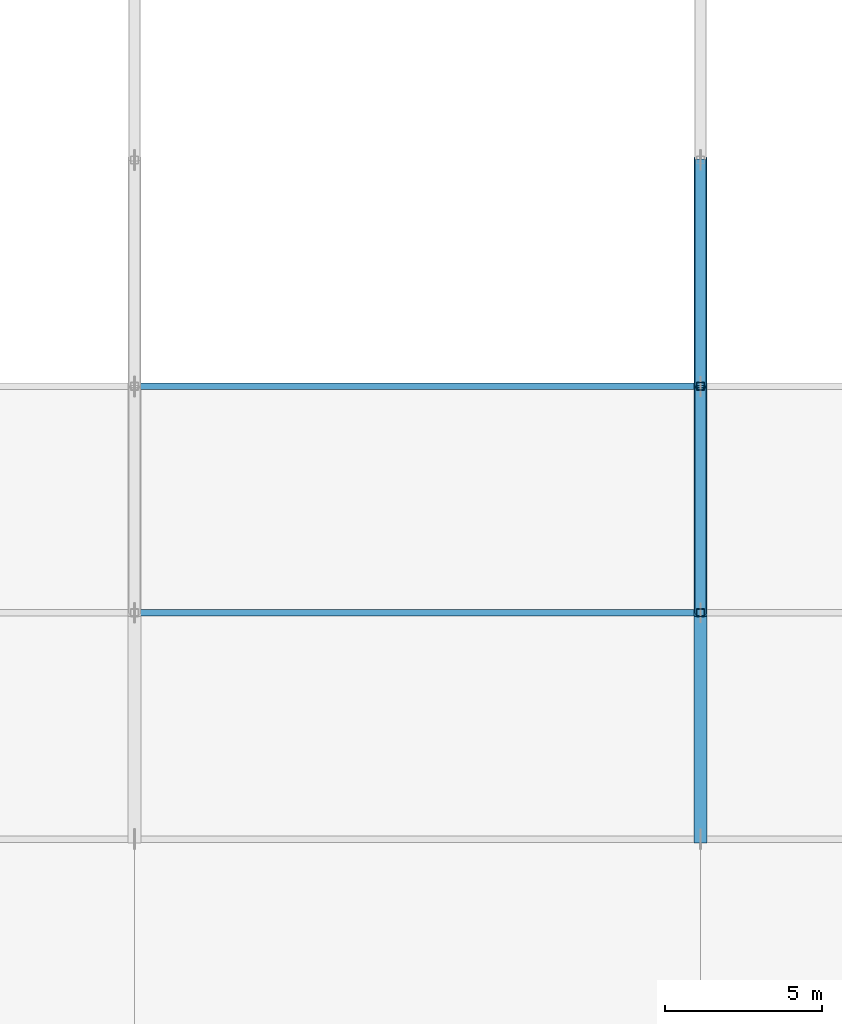
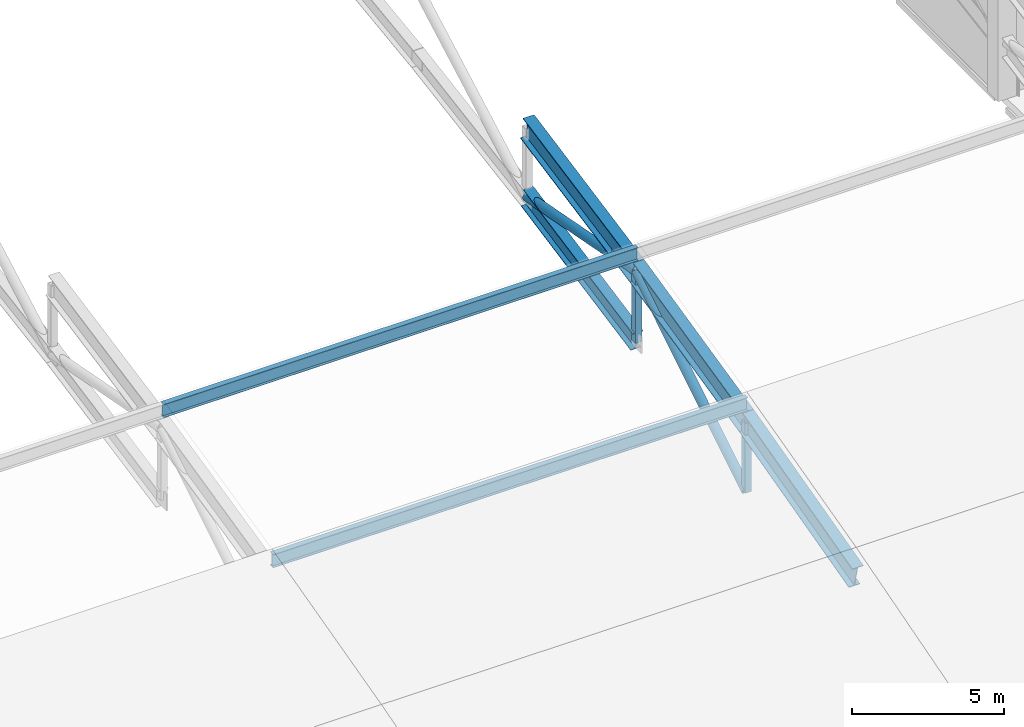
# One storey, part 21 of 124: 10 members.
"""IFC4 building model written with IfcOpenShell, lengths in metres."""

from ifc_helpers import new_model, si_unit, direction, frame, origin, origin_2d, place, context, subcontext, project, spatial, hollow_rectangle, hollow_circle, i_section, extrude, material, material_profile, profile_set, type_object, element, save


model = new_model("IFC4")

# Units and contexts
model_context = context("Model", 3, precision=1e-05, world=origin(), true_north=direction((0.0, 1.0)))
body_context = subcontext(model_context, "Body", "Model", "MODEL_VIEW")
ifc_project = project(units=[si_unit("LENGTHUNIT", "METRE"), si_unit("AREAUNIT", "SQUARE_METRE"), si_unit("VOLUMEUNIT", "CUBIC_METRE"), si_unit("PLANEANGLEUNIT", "RADIAN"), si_unit("MASSUNIT", "GRAM", prefix="KILO")], contexts=[model_context])

# Site, building, storey
site_placement = place(None, origin())
site = spatial("IfcSite", under=ifc_project, at=site_placement, CompositionType="ELEMENT")
building_placement = place(site_placement, origin())
building = spatial("IfcBuilding", under=site, at=building_placement, Name="Celestram Park Convention Centre", CompositionType="ELEMENT")
storey_placement = place(building_placement, frame((0.0, 0.0, 15.300048828125)))
storey = spatial("IfcBuildingStorey", under=building, at=storey_placement, Name="L03", CompositionType="ELEMENT", Elevation=15.300048828125)

# Members
ifc_material_1 = material(Name="Steel ASTM A500 Grade C", Category="steel")
ifc_material_profile_1 = material_profile(ifc_material_1, hollow_circle(Radius=0.177978515625, WallThickness=0.011962890625, at=origin_2d()), Name="CHS356X12")
ifc_profile_set_1 = profile_set([ifc_material_profile_1], Name="Steel ASTM A500 Grade C")
member_type_1 = type_object("IfcMemberType", Name="STR-BRC-CHS356", PredefinedType="BRACE", material=ifc_profile_set_1)
member_1_placement = place(storey_placement, frame((108.0, 36.0, -0.884765625), z_axis=(0.0, 0.850733884049, 0.525596669064), x_axis=(-1.0, 0.0, 0.0)))
element("IfcMember", 1, at=member_1_placement, inside=storey, type_object=member_type_1, Name="V1 arch web diagonal", PredefinedType="BRACE", context=body_context, shape_type="SweptSolid", body=[
    extrude(hollow_circle(Radius=0.177978515625, WallThickness=0.011962890625, at=origin_2d()), origin(), (0.0, 0.0, 1.0), 8.463134765625),
])
member_2_placement = place(storey_placement, frame((108.0, 43.199951171875, 3.5634765625), z_axis=(0.0, 0.982076449011, -0.188483018595), x_axis=(-1.0, 0.0, 0.0)))
element("IfcMember", 2, at=member_2_placement, inside=storey, type_object=member_type_1, Name="V1 arch web diagonal", PredefinedType="BRACE", context=body_context, shape_type="SweptSolid", body=[
    extrude(hollow_circle(Radius=0.177978515625, WallThickness=0.011962890625, at=origin_2d()), origin(), (0.0, 0.0, 1.0), 7.331298828125),
])
ifc_material_2 = material(Name="Steel ASTM A992 Grade 50", Category="steel")
ifc_material_profile_2 = material_profile(ifc_material_2, i_section(OverallWidth=0.381103515625, OverallDepth=0.77197265625, WebThickness=0.0166015625, FlangeThickness=0.027099609375, at=origin_2d()), Name="W30X173")
ifc_profile_set_2 = profile_set([ifc_material_profile_2], Name="Steel ASTM A992 Grade 50")
member_type_2 = type_object("IfcMemberType", Name="STR-CHD-W30X173", PredefinedType="CHORD", material=ifc_profile_set_2)
member_3_placement = place(storey_placement, frame((108.0, 43.199951171875, 0.763427734375), z_axis=(0.0, 0.981147221646, 0.193261815827), x_axis=(-1.0, 0.0, 0.0)))
element("IfcMember", 3, at=member_3_placement, inside=storey, type_object=member_type_2, Name="V1 arch bottom chord", PredefinedType="CHORD", context=body_context, shape_type="SweptSolid", body=[
    extrude(i_section(OverallWidth=0.381103515625, OverallDepth=0.77197265625, WebThickness=0.0166015625, FlangeThickness=0.027099609375, at=origin_2d()), origin(), (0.0, 0.0, 1.0), 7.33837890625),
])
ifc_material_profile_3 = material_profile(ifc_material_2, i_section(OverallWidth=0.4189453125, OverallDepth=0.927001953125, WebThickness=0.019287109375, FlangeThickness=0.031982421875, at=origin_2d()), Name="W36X231")
ifc_profile_set_3 = profile_set([ifc_material_profile_3], Name="Steel ASTM A992 Grade 50")
member_type_3 = type_object("IfcMemberType", Name="STR-CHD-W36X231", PredefinedType="CHORD", material=ifc_profile_set_3)
member_4_placement = place(storey_placement, frame((108.0, 28.800048828125, 0.036865234375), z_axis=(0.0, 0.967619711376, 0.252412547544), x_axis=(-1.0, 0.0, 0.0)))
element("IfcMember", 4, at=member_4_placement, inside=storey, type_object=member_type_3, Name="V1 arch top chord", PredefinedType="CHORD", context=body_context, shape_type="SweptSolid", body=[
    extrude(i_section(OverallWidth=0.4189453125, OverallDepth=0.927001953125, WebThickness=0.019287109375, FlangeThickness=0.031982421875, at=origin_2d()), origin(), (0.0, 0.0, 1.0), 7.44091796875),
])
member_5_placement = place(storey_placement, frame((108.0, 36.0, 1.9150390625), z_axis=(0.0, 0.974778027662, 0.223176604482), x_axis=(-1.0, 0.0, 0.0)))
element("IfcMember", 5, at=member_5_placement, inside=storey, type_object=member_type_3, Name="V1 arch top chord", PredefinedType="CHORD", context=body_context, shape_type="SweptSolid", body=[
    extrude(i_section(OverallWidth=0.4189453125, OverallDepth=0.927001953125, WebThickness=0.019287109375, FlangeThickness=0.031982421875, at=origin_2d()), origin(), (0.0, 0.0, 1.0), 7.38623046875),
])
member_6_placement = place(storey_placement, frame((108.0, 43.199951171875, 3.5634765625), z_axis=(0.0, 0.981147221646, 0.193261815827), x_axis=(-1.0, 0.0, 0.0)))
element("IfcMember", 6, at=member_6_placement, inside=storey, type_object=member_type_3, Name="V1 arch top chord", PredefinedType="CHORD", context=body_context, shape_type="SweptSolid", body=[
    extrude(i_section(OverallWidth=0.4189453125, OverallDepth=0.927001953125, WebThickness=0.019287109375, FlangeThickness=0.031982421875, at=origin_2d()), origin(), (0.0, 0.0, 1.0), 7.33837890625),
])
ifc_material_profile_4 = material_profile(ifc_material_2, i_section(OverallWidth=0.2099609375, OverallDepth=0.532958984375, WebThickness=0.01025390625, FlangeThickness=0.015625, at=origin_2d()), Name="W21X62")
ifc_profile_set_4 = profile_set([ifc_material_profile_4], Name="Steel ASTM A992 Grade 50")
member_type_4 = type_object("IfcMemberType", Name="STR-RFT-W21X62", PredefinedType="RAFTER", material=ifc_profile_set_4)
for number, where, z_axis, x_axis, name in (
    (7, (90.0, 36.0, 2.645263671875), (1.0, 0.0, 0.0), (0.0, 1.0, 0.0), "V1 roof purlin"),
    (8, (90.0, 43.199951171875, 4.29345703125), (1.0, 0.0, 0.0), (0.0, 1.0, 0.0), "V1 roof purlin"),
):
    element("IfcMember", number, at=place(storey_placement, frame(where, z_axis=z_axis, x_axis=x_axis)), inside=storey, type_object=member_type_4, Name=name, PredefinedType="RAFTER", context=body_context, shape_type="SweptSolid", body=[
        extrude(i_section(OverallWidth=0.2099609375, OverallDepth=0.532958984375, WebThickness=0.01025390625, FlangeThickness=0.015625, at=origin_2d()), origin(), (0.0, 0.0, 1.0), 18.0),
    ])
ifc_material_profile_5 = material_profile(ifc_material_1, hollow_rectangle(XDim=0.25, YDim=0.25, WallThickness=0.011962890625, at=origin_2d()), Name="HSS250X250X12")
ifc_profile_set_5 = profile_set([ifc_material_profile_5], Name="Steel ASTM A500 Grade C")
member_type_5 = type_object("IfcMemberType", Name="STR-STR-HSS250", PredefinedType="STRUT", material=ifc_profile_set_5)
member_7_placement = place(storey_placement, frame((108.0, 36.0, -0.884765625), z_axis=(0.0, 0.0, 1.0), x_axis=(1.0, 0.0, 0.0)))
element("IfcMember", 9, at=member_7_placement, inside=storey, type_object=member_type_5, Name="V1 arch vertical strut", PredefinedType="STRUT", context=body_context, shape_type="SweptSolid", body=[
    extrude(hollow_rectangle(XDim=0.25, YDim=0.25, WallThickness=0.011962890625, at=origin_2d()), origin(), (0.0, 0.0, 1.0), 2.7998046875),
])
member_8_placement = place(storey_placement, frame((108.0, 43.199951171875, 0.763427734375), z_axis=(0.0, 0.0, 1.0), x_axis=(1.0, 0.0, 0.0)))
element("IfcMember", 10, at=member_8_placement, inside=storey, type_object=member_type_5, Name="V1 arch vertical strut", PredefinedType="STRUT", context=body_context, shape_type="SweptSolid", body=[
    extrude(hollow_rectangle(XDim=0.25, YDim=0.25, WallThickness=0.011962890625, at=origin_2d()), origin(), (0.0, 0.0, 1.0), 2.800048828125),
])

save(model, "model.ifc")
